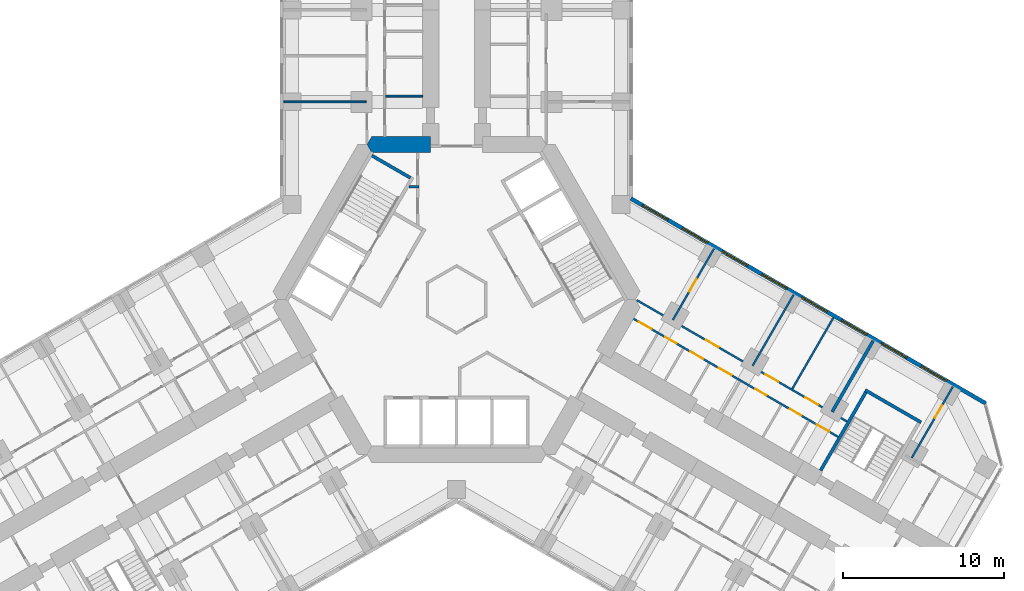
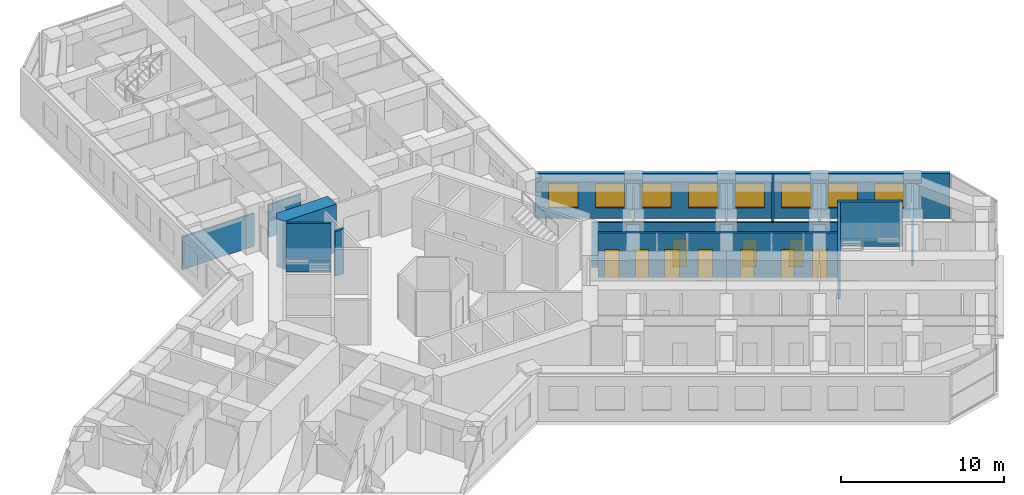
# One storey, part 16 of 21: 15 walls, 12 doors, 8 windows, 20 openings.
"""IFC4 building model written with IfcOpenShell, lengths in metres."""

from ifc_helpers import new_model, si_unit, direction, frame, frame_2d, origin, place, context, subcontext, project, spatial, polyline, rectangle, outline, extrude, material, layer, layer_set, type_object, element, fill, save


model = new_model("IFC4")

# Units and contexts
model_context = context("Model", 3, precision=1e-05, world=origin(), true_north=direction((0.0, 1.0)))
body_context = subcontext(model_context, "Body", "Model", "MODEL_VIEW")
ifc_project = project(units=[si_unit("LENGTHUNIT", "METRE"), si_unit("AREAUNIT", "SQUARE_METRE"), si_unit("VOLUMEUNIT", "CUBIC_METRE"), si_unit("PLANEANGLEUNIT", "RADIAN"), si_unit("MASSUNIT", "GRAM", prefix="KILO")], contexts=[model_context])

# Site, building, storey
site_placement = place(None, origin())
site = spatial("IfcSite", under=ifc_project, at=site_placement, CompositionType="ELEMENT")
building_placement = place(site_placement, origin())
building = spatial("IfcBuilding", under=site, at=building_placement, Name="Kosmar Iwan School Tower", CompositionType="ELEMENT")
storey_placement = place(building_placement, frame((0.0, 0.0, 43.0)))
storey = spatial("IfcBuildingStorey", under=building, at=storey_placement, Name="L09", CompositionType="ELEMENT", Elevation=43.0)

# Walls
ifc_material_1 = material(Name="Gypsum board on steel studs, fire-rated", Category="steel")
ifc_layer_1 = layer(ifc_material_1, 0.14990234375)
ifc_layer_set_1 = layer_set([ifc_layer_1], Name="Core room partition 150")
wall_type_1 = type_object("IfcWallType", Name="Core room partition 150", PredefinedType="PARTITIONING", material=ifc_layer_set_1)
wall_1_placement = place(storey_placement, frame((-2.324951171875, 6.985107421875, 0.0), z_axis=(0.0, 0.0, 1.0), x_axis=(-1.0, 0.0, 0.0)))
element("IfcWall", 1, at=wall_1_placement, inside=storey, type_object=wall_type_1, Name="Core room partition L09-CW2", PredefinedType="PARTITIONING", context=body_context, shape_type="SweptSolid", body=[
    extrude(rectangle(XDim=0.623779296875, YDim=0.14990234375, at=frame_2d((0.31201171875, 0.0))), origin(), (0.0, 0.0, 1.0), 3.35009765625),
])
ifc_material_2 = material(Name="Concrete C50/60", Category="concrete")
ifc_layer_2 = layer(ifc_material_2, 1.0)
ifc_layer_set_2 = layer_set([ifc_layer_2], Name="Core wall 1000")
wall_type_2 = type_object("IfcWallType", Name="Core wall 1000", PredefinedType="SHEAR", material=ifc_layer_set_2)
wall_2_placement = place(storey_placement, origin())
element("IfcWall", 2, at=wall_2_placement, inside=storey, type_object=wall_type_2, Name="Core wall F090b", PredefinedType="SHEAR", context=body_context, shape_type="SweptSolid", body=[
    extrude(outline(polyline([(-5.25390625, 9.10009765625), (-1.60009765625, 9.10009765625), (-1.60009765625, 10.10009765625), (-5.25390625, 10.10009765625), (-5.54248046875, 9.60009765625), (-5.25390625, 9.10009765625)])), origin(), (0.0, 0.0, 1.0), 3.60009765625),
])
ifc_material_3 = material(Name="Gypsum board on steel studs", Category="steel")
ifc_layer_3 = layer(ifc_material_3, 0.1201171875)
ifc_layer_set_3 = layer_set([ifc_layer_3], Name="Dwelling partition 120")
wall_type_3 = type_object("IfcWallType", Name="Dwelling partition 120", PredefinedType="PARTITIONING", material=ifc_layer_set_3)
wall_3_placement = place(storey_placement, frame((-5.610107421875, 12.25, 0.0), z_axis=(0.0, 0.0, 1.0), x_axis=(-1.0, 0.0, 0.0)))
element("IfcWall", 3, at=wall_3_placement, inside=storey, type_object=wall_type_3, Name="Partition L09-AL1-X1", PredefinedType="PARTITIONING", context=body_context, shape_type="SweptSolid", body=[
    extrude(rectangle(XDim=5.08984375, YDim=0.1201171875, at=frame_2d((2.544921875, 0.0))), origin(), (0.0, 0.0, 1.0), 2.449951171875),
])
wall_4_placement = place(storey_placement, frame((-2.10009765625, 12.60009765625, 0.0), z_axis=(0.0, 0.0, 1.0), x_axis=(-1.0, 0.0, 0.0)))
element("IfcWall", 4, at=wall_4_placement, inside=storey, type_object=wall_type_3, Name="Partition L09-AL1-Y1", PredefinedType="PARTITIONING", context=body_context, shape_type="SweptSolid", body=[
    extrude(rectangle(XDim=2.289794921875, YDim=0.1201171875, at=frame_2d((1.14501953125, 0.0))), origin(), (0.0, 0.0, 1.0), 2.449951171875),
])

# Wall, openings, doors
wall_5_placement = place(storey_placement, frame((10.971923828125, -1.1962890625, 0.0), z_axis=(0.0, 0.0, 1.0), x_axis=(0.866026568746, -0.499997982221, 0.0)))
wall_5 = element("IfcWall", 5, at=wall_5_placement, inside=storey, type_object=wall_type_3, Name="Partition L09-CL1-W1", PredefinedType="PARTITIONING", context=body_context, shape_type="SweptSolid", body=[
    extrude(rectangle(XDim=14.64990234375, YDim=0.1201171875, at=frame_2d((7.324951171875, 0.0))), origin(), (0.0, 0.0, 1.0), 3.35009765625),
])
opening_1_placement = place(wall_5_placement, frame((0.375, 0.0, 0.0)))
opening_1 = element("IfcOpeningElement", 6, at=opening_1_placement, cuts=wall_5, Name="Opening D2", PredefinedType="OPENING", context=body_context, shape_type="SweptSolid", body=[
    extrude(rectangle(XDim=0.89990234375, YDim=2.10009765625, at=frame_2d((0.449951171875, 1.050048828125))), frame((0.0, 0.072021484375, 0.0), z_axis=(0.0, -1.0, 0.0), x_axis=(1.0, 0.0, 0.0)), (0.0, 0.0, 1.0), 0.14404296875),
])
opening_2_placement = place(wall_5_placement, frame((2.27490234375, 0.0, 0.0)))
opening_2 = element("IfcOpeningElement", 7, at=opening_2_placement, cuts=wall_5, Name="Opening D3", PredefinedType="OPENING", context=body_context, shape_type="SweptSolid", body=[
    extrude(rectangle(XDim=0.800048828125, YDim=2.10009765625, at=frame_2d((0.39990234375, 1.050048828125))), frame((0.0, 0.072021484375, 0.0), z_axis=(0.0, -1.0, 0.0), x_axis=(1.0, 0.0, 0.0)), (0.0, 0.0, 1.0), 0.14404296875),
])
opening_3_placement = place(wall_5_placement, frame((4.074951171875, 0.0, 0.0)))
opening_3 = element("IfcOpeningElement", 8, at=opening_3_placement, cuts=wall_5, Name="Opening D2", PredefinedType="OPENING", context=body_context, shape_type="SweptSolid", body=[
    extrude(rectangle(XDim=0.89990234375, YDim=2.10009765625, at=frame_2d((0.449951171875, 1.050048828125))), frame((0.0, 0.072021484375, 0.0), z_axis=(0.0, -1.0, 0.0), x_axis=(1.0, 0.0, 0.0)), (0.0, 0.0, 1.0), 0.14404296875),
])
opening_4_placement = place(wall_5_placement, frame((6.10009765625, 0.0, 0.0)))
opening_4 = element("IfcOpeningElement", 9, at=opening_4_placement, cuts=wall_5, Name="Opening D2", PredefinedType="OPENING", context=body_context, shape_type="SweptSolid", body=[
    extrude(rectangle(XDim=0.89990234375, YDim=2.10009765625, at=frame_2d((0.449951171875, 1.050048828125))), frame((0.0, 0.072021484375, 0.0), z_axis=(0.0, -1.0, 0.0), x_axis=(1.0, 0.0, 0.0)), (0.0, 0.0, 1.0), 0.14404296875),
])
opening_5_placement = place(wall_5_placement, frame((8.728515625, 0.0, 0.0)))
opening_5 = element("IfcOpeningElement", 10, at=opening_5_placement, cuts=wall_5, Name="Opening D3", PredefinedType="OPENING", context=body_context, shape_type="SweptSolid", body=[
    extrude(rectangle(XDim=0.800048828125, YDim=2.10009765625, at=frame_2d((0.39990234375, 1.050048828125))), frame((0.0, 0.072021484375, 0.0), z_axis=(0.0, -1.0, 0.0), x_axis=(1.0, 0.0, 0.0)), (0.0, 0.0, 1.0), 0.14404296875),
])
opening_6_placement = place(wall_5_placement, frame((11.19287109375, 0.0, 0.0)))
opening_6 = element("IfcOpeningElement", 11, at=opening_6_placement, cuts=wall_5, Name="Opening D3", PredefinedType="OPENING", context=body_context, shape_type="SweptSolid", body=[
    extrude(rectangle(XDim=0.800048828125, YDim=2.10009765625, at=frame_2d((0.39990234375, 1.050048828125))), frame((0.0, 0.072021484375, 0.0), z_axis=(0.0, -1.0, 0.0), x_axis=(1.0, 0.0, 0.0)), (0.0, 0.0, 1.0), 0.14404296875),
])
opening_7_placement = place(wall_5_placement, frame((13.1142578125, 0.0, 0.0)))
opening_7 = element("IfcOpeningElement", 12, at=opening_7_placement, cuts=wall_5, Name="Opening D2", PredefinedType="OPENING", context=body_context, shape_type="SweptSolid", body=[
    extrude(rectangle(XDim=0.89990234375, YDim=2.10009765625, at=frame_2d((0.449951171875, 1.050048828125))), frame((0.0, 0.072021484375, 0.0), z_axis=(0.0, -1.0, 0.0), x_axis=(1.0, 0.0, 0.0)), (0.0, 0.0, 1.0), 0.14404296875),
])
ifc_material_4 = material(Name="Timber door in timber frame", Category="wood")
door_type_1 = type_object("IfcDoorType", Name="Internal door 900x2100", OperationType="SINGLE_SWING_LEFT", PredefinedType="DOOR", material=ifc_material_4)
door_1_placement = place(opening_1_placement, origin())
door_1 = element("IfcDoor", 13, at=door_1_placement, inside=storey, type_object=door_type_1, Name="Dressing room door L09-CL1-S1", OperationType="SINGLE_SWING_LEFT", OverallHeight=2.10009765625, OverallWidth=0.89990234375, PredefinedType="DOOR", context=body_context, shape_type="SweptSolid", body=[
    extrude(rectangle(XDim=0.89990234375, YDim=2.10009765625, at=frame_2d((0.449951171875, 1.050048828125))), frame((0.0, 0.02490234375, 0.0), z_axis=(0.0, -1.0, 0.0), x_axis=(1.0, 0.0, 0.0)), (0.0, 0.0, 1.0), 0.050048828125),
])
fill(opening_1, door_1)
door_2_placement = place(opening_3_placement, origin())
door_2 = element("IfcDoor", 14, at=door_2_placement, inside=storey, type_object=door_type_1, Name="Pantry door L09-CL1-S3", OperationType="SINGLE_SWING_LEFT", OverallHeight=2.10009765625, OverallWidth=0.89990234375, PredefinedType="DOOR", context=body_context, shape_type="SweptSolid", body=[
    extrude(rectangle(XDim=0.89990234375, YDim=2.10009765625, at=frame_2d((0.449951171875, 1.050048828125))), frame((0.0, 0.02490234375, 0.0), z_axis=(0.0, -1.0, 0.0), x_axis=(1.0, 0.0, 0.0)), (0.0, 0.0, 1.0), 0.050048828125),
])
fill(opening_3, door_2)
door_3_placement = place(opening_4_placement, origin())
door_3 = element("IfcDoor", 15, at=door_3_placement, inside=storey, type_object=door_type_1, Name="Entrance hall door L09-CL1-S4", OperationType="SINGLE_SWING_LEFT", OverallHeight=2.10009765625, OverallWidth=0.89990234375, PredefinedType="DOOR", context=body_context, shape_type="SweptSolid", body=[
    extrude(rectangle(XDim=0.89990234375, YDim=2.10009765625, at=frame_2d((0.449951171875, 1.050048828125))), frame((0.0, 0.02490234375, 0.0), z_axis=(0.0, -1.0, 0.0), x_axis=(1.0, 0.0, 0.0)), (0.0, 0.0, 1.0), 0.050048828125),
])
fill(opening_4, door_3)
door_4_placement = place(opening_7_placement, frame((0.89990234375, 0.0, 0.0), z_axis=(0.0, 0.0, 1.0), x_axis=(-1.0, 0.0, 0.0)))
door_4 = element("IfcDoor", 16, at=door_4_placement, inside=storey, type_object=door_type_1, Name="Utility room door L09-CL1-S7", OperationType="SINGLE_SWING_LEFT", OverallHeight=2.10009765625, OverallWidth=0.89990234375, PredefinedType="DOOR", context=body_context, shape_type="SweptSolid", body=[
    extrude(rectangle(XDim=0.89990234375, YDim=2.10009765625, at=frame_2d((0.449951171875, 1.050048828125))), frame((0.0, 0.02490234375, 0.0), z_axis=(0.0, -1.0, 0.0), x_axis=(1.0, 0.0, 0.0)), (0.0, 0.0, 1.0), 0.050048828125),
])
fill(opening_7, door_4)
ifc_material_5 = material(Name="Timber door in timber frame", Category="wood")
door_type_2 = type_object("IfcDoorType", Name="Sanitary room door 800x2100", OperationType="SINGLE_SWING_LEFT", PredefinedType="DOOR", material=ifc_material_5)
door_5_placement = place(opening_2_placement, origin())
door_5 = element("IfcDoor", 17, at=door_5_placement, inside=storey, type_object=door_type_2, Name="Store door L09-CL1-S2", OperationType="SINGLE_SWING_RIGHT", OverallHeight=2.10009765625, OverallWidth=0.800048828125, PredefinedType="DOOR", context=body_context, shape_type="SweptSolid", body=[
    extrude(rectangle(XDim=0.800048828125, YDim=2.10009765625, at=frame_2d((0.39990234375, 1.050048828125))), frame((0.0, 0.02490234375, 0.0), z_axis=(0.0, -1.0, 0.0), x_axis=(1.0, 0.0, 0.0)), (0.0, 0.0, 1.0), 0.050048828125),
])
fill(opening_2, door_5)
door_6_placement = place(opening_5_placement, origin())
door_6 = element("IfcDoor", 18, at=door_6_placement, inside=storey, type_object=door_type_2, Name="Bathroom door L09-CL1-S5", OperationType="SINGLE_SWING_RIGHT", OverallHeight=2.10009765625, OverallWidth=0.800048828125, PredefinedType="DOOR", context=body_context, shape_type="SweptSolid", body=[
    extrude(rectangle(XDim=0.800048828125, YDim=2.10009765625, at=frame_2d((0.39990234375, 1.050048828125))), frame((0.0, 0.02490234375, 0.0), z_axis=(0.0, -1.0, 0.0), x_axis=(1.0, 0.0, 0.0)), (0.0, 0.0, 1.0), 0.050048828125),
])
fill(opening_5, door_6)
door_7_placement = place(opening_6_placement, origin())
door_7 = element("IfcDoor", 19, at=door_7_placement, inside=storey, type_object=door_type_2, Name="WC door L09-CL1-S6", OperationType="SINGLE_SWING_RIGHT", OverallHeight=2.10009765625, OverallWidth=0.800048828125, PredefinedType="DOOR", context=body_context, shape_type="SweptSolid", body=[
    extrude(rectangle(XDim=0.800048828125, YDim=2.10009765625, at=frame_2d((0.39990234375, 1.050048828125))), frame((0.0, 0.02490234375, 0.0), z_axis=(0.0, -1.0, 0.0), x_axis=(1.0, 0.0, 0.0)), (0.0, 0.0, 1.0), 0.050048828125),
])
fill(opening_6, door_7)

wall_6_placement = place(storey_placement, frame((11.167724609375, -0.0390625, 0.0), z_axis=(0.0, 0.0, 1.0), x_axis=(0.866024678464, -0.50000125629, 0.0)))
wall_6 = element("IfcWall", 20, at=wall_6_placement, inside=storey, type_object=wall_type_3, Name="Partition L09-CL1-W2", PredefinedType="PARTITIONING", context=body_context, shape_type="SweptSolid", body=[
    extrude(rectangle(XDim=15.05908203125, YDim=0.1201171875, at=frame_2d((7.529541015625, 0.0))), origin(), (0.0, 0.0, 1.0), 3.35009765625),
])
opening_8_placement = place(wall_6_placement, frame((4.958984375, 0.0, 0.0)))
opening_8 = element("IfcOpeningElement", 21, at=opening_8_placement, cuts=wall_6, Name="Opening D2", PredefinedType="OPENING", context=body_context, shape_type="SweptSolid", body=[
    extrude(rectangle(XDim=0.89990234375, YDim=2.10009765625, at=frame_2d((0.449951171875, 1.050048828125))), frame((0.0, 0.072021484375, 0.0), z_axis=(0.0, -1.0, 0.0), x_axis=(1.0, 0.0, 0.0)), (0.0, 0.0, 1.0), 0.14404296875),
])
opening_9_placement = place(wall_6_placement, frame((9.23388671875, 0.0, 0.0)))
opening_9 = element("IfcOpeningElement", 22, at=opening_9_placement, cuts=wall_6, Name="Opening D2", PredefinedType="OPENING", context=body_context, shape_type="SweptSolid", body=[
    extrude(rectangle(XDim=0.89990234375, YDim=2.10009765625, at=frame_2d((0.449951171875, 1.050048828125))), frame((0.0, 0.072021484375, 0.0), z_axis=(0.0, -1.0, 0.0), x_axis=(1.0, 0.0, 0.0)), (0.0, 0.0, 1.0), 0.14404296875),
])
opening_10_placement = place(wall_6_placement, frame((12.083984375, 0.0, 0.0)))
opening_10 = element("IfcOpeningElement", 23, at=opening_10_placement, cuts=wall_6, Name="Opening D2", PredefinedType="OPENING", context=body_context, shape_type="SweptSolid", body=[
    extrude(rectangle(XDim=0.89990234375, YDim=2.10009765625, at=frame_2d((0.449951171875, 1.050048828125))), frame((0.0, 0.072021484375, 0.0), z_axis=(0.0, -1.0, 0.0), x_axis=(1.0, 0.0, 0.0)), (0.0, 0.0, 1.0), 0.14404296875),
])
door_8_placement = place(opening_8_placement, origin())
door_8 = element("IfcDoor", 24, at=door_8_placement, inside=storey, type_object=door_type_1, Name="Living room door L09-CL1-F2", OperationType="SINGLE_SWING_LEFT", OverallHeight=2.10009765625, OverallWidth=0.89990234375, PredefinedType="DOOR", context=body_context, shape_type="SweptSolid", body=[
    extrude(rectangle(XDim=0.89990234375, YDim=2.10009765625, at=frame_2d((0.449951171875, 1.050048828125))), frame((0.0, 0.02490234375, 0.0), z_axis=(0.0, -1.0, 0.0), x_axis=(1.0, 0.0, 0.0)), (0.0, 0.0, 1.0), 0.050048828125),
])
fill(opening_8, door_8)
door_9_placement = place(opening_9_placement, origin())
door_9 = element("IfcDoor", 25, at=door_9_placement, inside=storey, type_object=door_type_1, Name="Bedroom 1 door L09-CL1-F3", OperationType="SINGLE_SWING_RIGHT", OverallHeight=2.10009765625, OverallWidth=0.89990234375, PredefinedType="DOOR", context=body_context, shape_type="SweptSolid", body=[
    extrude(rectangle(XDim=0.89990234375, YDim=2.10009765625, at=frame_2d((0.449951171875, 1.050048828125))), frame((0.0, 0.02490234375, 0.0), z_axis=(0.0, -1.0, 0.0), x_axis=(1.0, 0.0, 0.0)), (0.0, 0.0, 1.0), 0.050048828125),
])
fill(opening_9, door_9)
door_10_placement = place(opening_10_placement, origin())
door_10 = element("IfcDoor", 26, at=door_10_placement, inside=storey, type_object=door_type_1, Name="Study door L09-CL1-F4", OperationType="SINGLE_SWING_LEFT", OverallHeight=2.10009765625, OverallWidth=0.89990234375, PredefinedType="DOOR", context=body_context, shape_type="SweptSolid", body=[
    extrude(rectangle(XDim=0.89990234375, YDim=2.10009765625, at=frame_2d((0.449951171875, 1.050048828125))), frame((0.0, 0.02490234375, 0.0), z_axis=(0.0, -1.0, 0.0), x_axis=(1.0, 0.0, 0.0)), (0.0, 0.0, 1.0), 0.050048828125),
])
fill(opening_10, door_10)

# Wall, opening, door
wall_7_placement = place(storey_placement, frame((13.413818359375, -1.2666015625, 0.0), z_axis=(0.0, 0.0, 1.0), x_axis=(0.499997873537, 0.866026631495, 0.0)))
wall_7 = element("IfcWall", 27, at=wall_7_placement, inside=storey, type_object=wall_type_3, Name="Partition L09-CL1-X1", PredefinedType="PARTITIONING", context=body_context, shape_type="SweptSolid", body=[
    extrude(rectangle(XDim=5.08984375, YDim=0.1201171875, at=frame_2d((2.544921875, 0.0))), origin(), (0.0, 0.0, 1.0), 2.449951171875),
])
opening_11_placement = place(wall_7_placement, frame((2.0400390625, 0.0, 0.0)))
opening_11 = element("IfcOpeningElement", 28, at=opening_11_placement, cuts=wall_7, Name="Opening D2", PredefinedType="OPENING", context=body_context, shape_type="SweptSolid", body=[
    extrude(rectangle(XDim=0.89990234375, YDim=2.10009765625, at=frame_2d((0.449951171875, 1.050048828125))), frame((0.0, 0.072021484375, 0.0), z_axis=(0.0, -1.0, 0.0), x_axis=(1.0, 0.0, 0.0)), (0.0, 0.0, 1.0), 0.14404296875),
])
door_11_placement = place(opening_11_placement, origin())
door_11 = element("IfcDoor", 29, at=door_11_placement, inside=storey, type_object=door_type_1, Name="Kitchen and dining room door L09-CL1-F1", OperationType="SINGLE_SWING_LEFT", OverallHeight=2.10009765625, OverallWidth=0.89990234375, PredefinedType="DOOR", context=body_context, shape_type="SweptSolid", body=[
    extrude(rectangle(XDim=0.89990234375, YDim=2.10009765625, at=frame_2d((0.449951171875, 1.050048828125))), frame((0.0, 0.02490234375, 0.0), z_axis=(0.0, -1.0, 0.0), x_axis=(1.0, 0.0, 0.0)), (0.0, 0.0, 1.0), 0.050048828125),
])
fill(opening_11, door_11)

# Walls
wall_8_placement = place(storey_placement, frame((18.35009765625, -4.11669921875, 0.0), z_axis=(0.0, 0.0, 1.0), x_axis=(0.500013077246, 0.866017853501, 0.0)))
element("IfcWall", 30, at=wall_8_placement, inside=storey, type_object=wall_type_3, Name="Partition L09-CL1-X2", PredefinedType="PARTITIONING", context=body_context, shape_type="SweptSolid", body=[
    extrude(rectangle(XDim=5.090087890625, YDim=0.1201171875, at=frame_2d((2.544921875, 0.0))), origin(), (0.0, 0.0, 1.0), 2.449951171875),
])
wall_9_placement = place(storey_placement, frame((20.818359375, -5.54150390625, 0.0), z_axis=(0.0, 0.0, 1.0), x_axis=(0.499997873537, 0.866026631495, 0.0)))
element("IfcWall", 31, at=wall_9_placement, inside=storey, type_object=wall_type_3, Name="Partition L09-CL1-X3", PredefinedType="PARTITIONING", context=body_context, shape_type="SweptSolid", body=[
    extrude(rectangle(XDim=5.08984375, YDim=0.1201171875, at=frame_2d((2.544921875, 0.0))), origin(), (0.0, 0.0, 1.0), 3.35009765625),
])

# Wall, opening, door
wall_10_placement = place(storey_placement, frame((28.222900390625, -9.816650390625, 0.0), z_axis=(0.0, 0.0, 1.0), x_axis=(0.499977104415, 0.866038622153, 0.0)))
wall_10 = element("IfcWall", 32, at=wall_10_placement, inside=storey, type_object=wall_type_3, Name="Partition L09-CL2-TX", PredefinedType="PARTITIONING", context=body_context, shape_type="SweptSolid", body=[
    extrude(rectangle(XDim=5.090087890625, YDim=0.1201171875, at=frame_2d((2.544921875, 0.0))), origin(), (0.0, 0.0, 1.0), 2.449951171875),
])
opening_12_placement = place(wall_10_placement, frame((2.840087890625, 0.0, 0.0)))
opening_12 = element("IfcOpeningElement", 33, at=opening_12_placement, cuts=wall_10, Name="Opening D2", PredefinedType="OPENING", context=body_context, shape_type="SweptSolid", body=[
    extrude(rectangle(XDim=0.89990234375, YDim=2.10009765625, at=frame_2d((0.449951171875, 1.050048828125))), frame((0.0, 0.072021484375, 0.0), z_axis=(0.0, -1.0, 0.0), x_axis=(1.0, 0.0, 0.0)), (0.0, 0.0, 1.0), 0.14404296875),
])
door_12_placement = place(opening_12_placement, origin())
door_12 = element("IfcDoor", 34, at=door_12_placement, inside=storey, type_object=door_type_1, Name="Bedroom 1 door L09-CL2-T1", OperationType="SINGLE_SWING_RIGHT", OverallHeight=2.10009765625, OverallWidth=0.89990234375, PredefinedType="DOOR", context=body_context, shape_type="SweptSolid", body=[
    extrude(rectangle(XDim=0.89990234375, YDim=2.10009765625, at=frame_2d((0.449951171875, 1.050048828125))), frame((0.0, 0.02490234375, 0.0), z_axis=(0.0, -1.0, 0.0), x_axis=(1.0, 0.0, 0.0)), (0.0, 0.0, 1.0), 0.050048828125),
])
fill(opening_12, door_12)

# Walls
ifc_material_6 = material(Name="Concrete C35/45", Category="concrete")
ifc_layer_4 = layer(ifc_material_6, 0.199951171875)
ifc_layer_set_4 = layer_set([ifc_layer_4], Name="Escape stair wall 200")
wall_type_4 = type_object("IfcWallType", Name="Escape stair wall 200", PredefinedType="SHEAR", material=ifc_layer_set_4)
wall_11_placement = place(storey_placement, frame((22.57080078125, -10.6064453125, 0.0), z_axis=(0.0, 0.0, 1.0), x_axis=(0.499987231761, 0.866032775405, 0.0)))
element("IfcWall", 35, at=wall_11_placement, inside=storey, type_object=wall_type_4, Name="Stair WS3 wall", PredefinedType="SHEAR", context=body_context, shape_type="SweptSolid", body=[
    extrude(rectangle(XDim=5.800048828125, YDim=0.199951171875, at=frame_2d((2.89990234375, 0.0))), origin(), (0.0, 0.0, 1.0), 3.330078125),
])
wall_12_placement = place(storey_placement, frame((25.334228515625, -5.6201171875, 0.0), z_axis=(0.0, 0.0, 1.0), x_axis=(0.866026010844, -0.49999894854, 0.0)))
element("IfcWall", 36, at=wall_12_placement, inside=storey, type_object=wall_type_4, Name="Stair WS3 wall", PredefinedType="SHEAR", context=body_context, shape_type="SweptSolid", body=[
    extrude(rectangle(XDim=4.0, YDim=0.199951171875, at=frame_2d((2.0, 0.0))), origin(), (0.0, 0.0, 1.0), 3.330078125),
])

# Wall, openings, windows
ifc_material_7 = material(Name="Black aluminium rainscreen on insulated framing", Category="aluminium")
ifc_layer_5 = layer(ifc_material_7, 0.25)
ifc_layer_set_5 = layer_set([ifc_layer_5], Name="External wall rainscreen 250")
wall_type_5 = type_object("IfcWallType", Name="External wall rainscreen 250", PredefinedType="SOLIDWALL", material=ifc_layer_set_5)
wall_13_placement = place(storey_placement, frame((10.8125, 6.257080078125, 0.0), z_axis=(0.0, 0.0, 1.0), x_axis=(0.86602648281, -0.499998131069, 0.0)))
wall_13 = element("IfcWall", 37, at=wall_13_placement, inside=storey, type_object=wall_type_5, Name="External wall CL L09", PredefinedType="SOLIDWALL", context=body_context, shape_type="SweptSolid", body=[
    extrude(rectangle(XDim=25.39990234375, YDim=0.25, at=frame_2d((12.699951171875, 0.0))), origin(), (0.0, 0.0, 1.0), 3.35009765625),
])
opening_13_placement = place(wall_13_placement, frame((0.839599609375, 0.0, 0.800048828125)))
opening_13 = element("IfcOpeningElement", 38, at=opening_13_placement, cuts=wall_13, Name="Opening W1", PredefinedType="OPENING", context=body_context, shape_type="SweptSolid", body=[
    extrude(rectangle(XDim=1.800048828125, YDim=1.800048828125, at=frame_2d((0.89990234375, 0.89990234375))), frame((0.0, 0.136962890625, 0.0), z_axis=(0.0, -1.0, 0.0), x_axis=(1.0, 0.0, 0.0)), (0.0, 0.0, 1.0), 0.27392578125),
])
opening_14_placement = place(wall_13_placement, frame((3.689697265625, 0.0, 0.800048828125)))
opening_14 = element("IfcOpeningElement", 39, at=opening_14_placement, cuts=wall_13, Name="Opening W1", PredefinedType="OPENING", context=body_context, shape_type="SweptSolid", body=[
    extrude(rectangle(XDim=1.800048828125, YDim=1.800048828125, at=frame_2d((0.89990234375, 0.89990234375))), frame((0.0, 0.136962890625, 0.0), z_axis=(0.0, -1.0, 0.0), x_axis=(1.0, 0.0, 0.0)), (0.0, 0.0, 1.0), 0.27392578125),
])
opening_15_placement = place(wall_13_placement, frame((6.53955078125, 0.0, 0.800048828125)))
opening_15 = element("IfcOpeningElement", 40, at=opening_15_placement, cuts=wall_13, Name="Opening W1", PredefinedType="OPENING", context=body_context, shape_type="SweptSolid", body=[
    extrude(rectangle(XDim=1.800048828125, YDim=1.800048828125, at=frame_2d((0.89990234375, 0.89990234375))), frame((0.0, 0.136962890625, 0.0), z_axis=(0.0, -1.0, 0.0), x_axis=(1.0, 0.0, 0.0)), (0.0, 0.0, 1.0), 0.27392578125),
])
opening_16_placement = place(wall_13_placement, frame((9.3896484375, 0.0, 0.800048828125)))
opening_16 = element("IfcOpeningElement", 41, at=opening_16_placement, cuts=wall_13, Name="Opening W1", PredefinedType="OPENING", context=body_context, shape_type="SweptSolid", body=[
    extrude(rectangle(XDim=1.800048828125, YDim=1.800048828125, at=frame_2d((0.89990234375, 0.89990234375))), frame((0.0, 0.136962890625, 0.0), z_axis=(0.0, -1.0, 0.0), x_axis=(1.0, 0.0, 0.0)), (0.0, 0.0, 1.0), 0.27392578125),
])
opening_17_placement = place(wall_13_placement, frame((12.23974609375, 0.0, 0.800048828125)))
opening_17 = element("IfcOpeningElement", 42, at=opening_17_placement, cuts=wall_13, Name="Opening W1", PredefinedType="OPENING", context=body_context, shape_type="SweptSolid", body=[
    extrude(rectangle(XDim=1.800048828125, YDim=1.800048828125, at=frame_2d((0.89990234375, 0.89990234375))), frame((0.0, 0.136962890625, 0.0), z_axis=(0.0, -1.0, 0.0), x_axis=(1.0, 0.0, 0.0)), (0.0, 0.0, 1.0), 0.27392578125),
])
opening_18_placement = place(wall_13_placement, frame((15.089599609375, 0.0, 0.800048828125)))
opening_18 = element("IfcOpeningElement", 43, at=opening_18_placement, cuts=wall_13, Name="Opening W1", PredefinedType="OPENING", context=body_context, shape_type="SweptSolid", body=[
    extrude(rectangle(XDim=1.800048828125, YDim=1.800048828125, at=frame_2d((0.89990234375, 0.89990234375))), frame((0.0, 0.136962890625, 0.0), z_axis=(0.0, -1.0, 0.0), x_axis=(1.0, 0.0, 0.0)), (0.0, 0.0, 1.0), 0.27392578125),
])
opening_19_placement = place(wall_13_placement, frame((17.939697265625, 0.0, 0.800048828125)))
opening_19 = element("IfcOpeningElement", 44, at=opening_19_placement, cuts=wall_13, Name="Opening W1", PredefinedType="OPENING", context=body_context, shape_type="SweptSolid", body=[
    extrude(rectangle(XDim=1.800048828125, YDim=1.800048828125, at=frame_2d((0.89990234375, 0.89990234375))), frame((0.0, 0.136962890625, 0.0), z_axis=(0.0, -1.0, 0.0), x_axis=(1.0, 0.0, 0.0)), (0.0, 0.0, 1.0), 0.27392578125),
])
opening_20_placement = place(wall_13_placement, frame((20.78955078125, 0.0, 0.800048828125)))
opening_20 = element("IfcOpeningElement", 45, at=opening_20_placement, cuts=wall_13, Name="Opening W1", PredefinedType="OPENING", context=body_context, shape_type="SweptSolid", body=[
    extrude(rectangle(XDim=1.800048828125, YDim=1.800048828125, at=frame_2d((0.89990234375, 0.89990234375))), frame((0.0, 0.136962890625, 0.0), z_axis=(0.0, -1.0, 0.0), x_axis=(1.0, 0.0, 0.0)), (0.0, 0.0, 1.0), 0.27392578125),
])
ifc_material_8 = material(Name="Black aluminium frame with dark triple glazing", Category="aluminium")
window_type = type_object("IfcWindowType", Name="Window 1800x1800", PartitioningType="SINGLE_PANEL", PredefinedType="WINDOW", material=ifc_material_8)
window_1_placement = place(opening_13_placement, origin())
window_1 = element("IfcWindow", 46, at=window_1_placement, inside=storey, type_object=window_type, Name="Window CL L09 -1", OverallHeight=1.800048828125, OverallWidth=1.800048828125, PartitioningType="SINGLE_PANEL", PredefinedType="WINDOW", context=body_context, shape_type="SweptSolid", body=[
    extrude(rectangle(XDim=1.800048828125, YDim=1.800048828125, at=frame_2d((0.89990234375, 0.89990234375))), frame((0.0, 0.030029296875, 0.0), z_axis=(0.0, -1.0, 0.0), x_axis=(1.0, 0.0, 0.0)), (0.0, 0.0, 1.0), 0.06005859375),
])
fill(opening_13, window_1)
window_2_placement = place(opening_14_placement, origin())
window_2 = element("IfcWindow", 47, at=window_2_placement, inside=storey, type_object=window_type, Name="Window CL L09 0", OverallHeight=1.800048828125, OverallWidth=1.800048828125, PartitioningType="SINGLE_PANEL", PredefinedType="WINDOW", context=body_context, shape_type="SweptSolid", body=[
    extrude(rectangle(XDim=1.800048828125, YDim=1.800048828125, at=frame_2d((0.89990234375, 0.89990234375))), frame((0.0, 0.030029296875, 0.0), z_axis=(0.0, -1.0, 0.0), x_axis=(1.0, 0.0, 0.0)), (0.0, 0.0, 1.0), 0.06005859375),
])
fill(opening_14, window_2)
window_3_placement = place(opening_15_placement, origin())
window_3 = element("IfcWindow", 48, at=window_3_placement, inside=storey, type_object=window_type, Name="Window CL L09 1", OverallHeight=1.800048828125, OverallWidth=1.800048828125, PartitioningType="SINGLE_PANEL", PredefinedType="WINDOW", context=body_context, shape_type="SweptSolid", body=[
    extrude(rectangle(XDim=1.800048828125, YDim=1.800048828125, at=frame_2d((0.89990234375, 0.89990234375))), frame((0.0, 0.030029296875, 0.0), z_axis=(0.0, -1.0, 0.0), x_axis=(1.0, 0.0, 0.0)), (0.0, 0.0, 1.0), 0.06005859375),
])
fill(opening_15, window_3)
window_4_placement = place(opening_16_placement, origin())
window_4 = element("IfcWindow", 49, at=window_4_placement, inside=storey, type_object=window_type, Name="Window CL L09 2", OverallHeight=1.800048828125, OverallWidth=1.800048828125, PartitioningType="SINGLE_PANEL", PredefinedType="WINDOW", context=body_context, shape_type="SweptSolid", body=[
    extrude(rectangle(XDim=1.800048828125, YDim=1.800048828125, at=frame_2d((0.89990234375, 0.89990234375))), frame((0.0, 0.030029296875, 0.0), z_axis=(0.0, -1.0, 0.0), x_axis=(1.0, 0.0, 0.0)), (0.0, 0.0, 1.0), 0.06005859375),
])
fill(opening_16, window_4)
window_5_placement = place(opening_17_placement, origin())
window_5 = element("IfcWindow", 50, at=window_5_placement, inside=storey, type_object=window_type, Name="Window CL L09 3", OverallHeight=1.800048828125, OverallWidth=1.800048828125, PartitioningType="SINGLE_PANEL", PredefinedType="WINDOW", context=body_context, shape_type="SweptSolid", body=[
    extrude(rectangle(XDim=1.800048828125, YDim=1.800048828125, at=frame_2d((0.89990234375, 0.89990234375))), frame((0.0, 0.030029296875, 0.0), z_axis=(0.0, -1.0, 0.0), x_axis=(1.0, 0.0, 0.0)), (0.0, 0.0, 1.0), 0.06005859375),
])
fill(opening_17, window_5)
window_6_placement = place(opening_18_placement, origin())
window_6 = element("IfcWindow", 51, at=window_6_placement, inside=storey, type_object=window_type, Name="Window CL L09 4", OverallHeight=1.800048828125, OverallWidth=1.800048828125, PartitioningType="SINGLE_PANEL", PredefinedType="WINDOW", context=body_context, shape_type="SweptSolid", body=[
    extrude(rectangle(XDim=1.800048828125, YDim=1.800048828125, at=frame_2d((0.89990234375, 0.89990234375))), frame((0.0, 0.030029296875, 0.0), z_axis=(0.0, -1.0, 0.0), x_axis=(1.0, 0.0, 0.0)), (0.0, 0.0, 1.0), 0.06005859375),
])
fill(opening_18, window_6)
window_7_placement = place(opening_19_placement, origin())
window_7 = element("IfcWindow", 52, at=window_7_placement, inside=storey, type_object=window_type, Name="Window CL L09 5", OverallHeight=1.800048828125, OverallWidth=1.800048828125, PartitioningType="SINGLE_PANEL", PredefinedType="WINDOW", context=body_context, shape_type="SweptSolid", body=[
    extrude(rectangle(XDim=1.800048828125, YDim=1.800048828125, at=frame_2d((0.89990234375, 0.89990234375))), frame((0.0, 0.030029296875, 0.0), z_axis=(0.0, -1.0, 0.0), x_axis=(1.0, 0.0, 0.0)), (0.0, 0.0, 1.0), 0.06005859375),
])
fill(opening_19, window_7)
window_8_placement = place(opening_20_placement, origin())
window_8 = element("IfcWindow", 53, at=window_8_placement, inside=storey, type_object=window_type, Name="Window CL L09 6", OverallHeight=1.800048828125, OverallWidth=1.800048828125, PartitioningType="SINGLE_PANEL", PredefinedType="WINDOW", context=body_context, shape_type="SweptSolid", body=[
    extrude(rectangle(XDim=1.800048828125, YDim=1.800048828125, at=frame_2d((0.89990234375, 0.89990234375))), frame((0.0, 0.030029296875, 0.0), z_axis=(0.0, -1.0, 0.0), x_axis=(1.0, 0.0, 0.0)), (0.0, 0.0, 1.0), 0.06005859375),
])
fill(opening_20, window_8)

# Walls
ifc_material_9 = material(Name="Concrete block masonry", Category="masonry")
ifc_layer_6 = layer(ifc_material_9, 0.199951171875)
ifc_layer_set_6 = layer_set([ifc_layer_6], Name="Party wall 200")
wall_type_6 = type_object("IfcWallType", Name="Party wall 200", PredefinedType="PARTITIONING", material=ifc_layer_set_6)
wall_14_placement = place(storey_placement, frame((23.28662109375, -6.966552734375, 0.0), z_axis=(0.0, 0.0, 1.0), x_axis=(0.499997873537, 0.866026631495, 0.0)))
element("IfcWall", 54, at=wall_14_placement, inside=storey, type_object=wall_type_6, Name="Partition L09-CL2-TB", PredefinedType="PARTITIONING", context=body_context, shape_type="SweptSolid", body=[
    extrude(rectangle(XDim=5.08984375, YDim=0.199951171875, at=frame_2d((2.544921875, 0.0))), origin(), (0.0, 0.0, 1.0), 2.449951171875),
])
ifc_material_10 = material(Name="Concrete C50/60", Category="concrete")
ifc_layer_7 = layer(ifc_material_10, 0.199951171875)
ifc_layer_set_7 = layer_set([ifc_layer_7], Name="Stair enclosure wall 200")
wall_type_7 = type_object("IfcWallType", Name="Stair enclosure wall 200", PredefinedType="SHEAR", material=ifc_layer_set_7)
wall_15_placement = place(storey_placement, frame((-2.862548828125, 7.541748046875, 0.0), z_axis=(0.0, 0.0, 1.0), x_axis=(-0.866027397988, 0.499996545922, 0.0)))
element("IfcWall", 55, at=wall_15_placement, inside=storey, type_object=wall_type_7, Name="Stair ST2 wall", PredefinedType="SHEAR", context=body_context, shape_type="SweptSolid", body=[
    extrude(rectangle(XDim=2.75, YDim=0.199951171875, at=frame_2d((1.375, 0.0))), origin(), (0.0, 0.0, 1.0), 3.60009765625),
])

save(model, "model.ifc")
